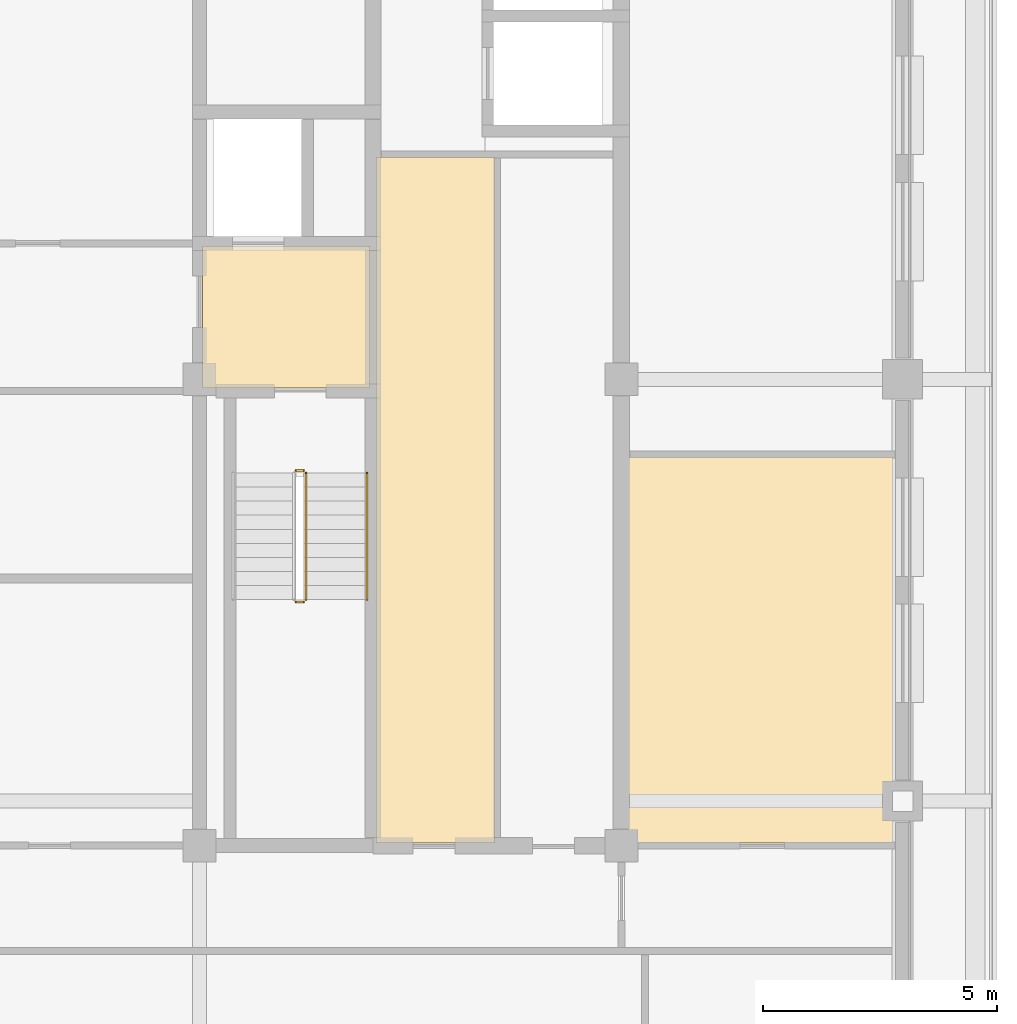
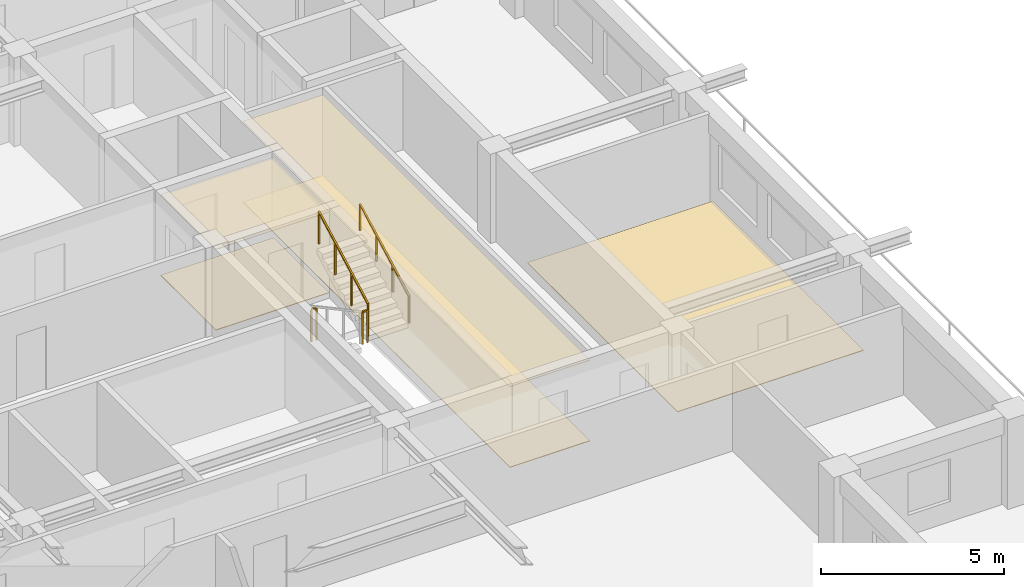
# One storey, part 10 of 11: 5 coverings, 4 railings.
"""IFC4 building model written with IfcOpenShell, lengths in metres."""

from ifc_helpers import new_model, si_unit, direction, frame, origin, origin_2d, place, context, subcontext, project, spatial, polyline, rectangle, outline, extrude, material, layer, layer_set, type_object, element, save


model = new_model("IFC4")

# Units and contexts
model_context = context("Model", 3, precision=1e-05, world=origin(), true_north=direction((0.0, 1.0)))
body_context = subcontext(model_context, "Body", "Model", "MODEL_VIEW")
ifc_project = project(units=[si_unit("LENGTHUNIT", "METRE"), si_unit("AREAUNIT", "SQUARE_METRE"), si_unit("VOLUMEUNIT", "CUBIC_METRE"), si_unit("PLANEANGLEUNIT", "RADIAN"), si_unit("MASSUNIT", "GRAM", prefix="KILO")], contexts=[model_context])

# Site, building, storey
site_placement = place(None, origin())
site = spatial("IfcSite", under=ifc_project, at=site_placement, CompositionType="ELEMENT")
building_placement = place(site_placement, origin())
building = spatial("IfcBuilding", under=site, at=building_placement, Name="Zulmaris Gate Convention Tower", CompositionType="ELEMENT")
storey_placement = place(building_placement, frame((0.0, 0.0, 239.739990234375)))
storey = spatial("IfcBuildingStorey", under=building, at=storey_placement, Name="L63", CompositionType="ELEMENT", Elevation=239.739990234375)

# Coverings
ifc_material_1 = material(Name="Mineral Fibre Acoustic Ceiling Tile")
ifc_layer_1 = layer(ifc_material_1, 0.02001953125, Name="Mineral Fibre Acoustic Ceiling Tile")
ifc_layer_set_1 = layer_set([ifc_layer_1], Name="Mineral Fibre Acoustic Ceiling Tile")
covering_type_1 = type_object("IfcCoveringType", Name="CLG-ACOUSTIC-600", PredefinedType="CEILING", material=ifc_layer_set_1)
covering_1_placement = place(storey_placement, frame((0.0, 0.0, 2.699951171875)))
element("IfcCovering", 1, at=covering_1_placement, inside=storey, type_object=covering_type_1, Name="CLG-L63-R08", PredefinedType="CEILING", context=body_context, shape_type="SweptSolid", body=[
    extrude(outline(polyline([(11.06005859375, -0.18994140625), (14.639892578125, -0.18994140625), (14.639892578125, 2.840087890625), (11.06005859375, 2.840087890625), (11.06005859375, -0.18994140625)])), origin(), (0.0, 0.0, 1.0), 0.02001953125),
])
covering_2_placement = place(storey_placement, frame((0.0, 0.0, 2.699951171875)))
element("IfcCovering", 2, at=covering_2_placement, inside=storey, type_object=covering_type_1, Name="CLG-L63-R24", PredefinedType="CEILING", context=body_context, shape_type="SweptSolid", body=[
    extrude(outline(polyline([(14.760009765625, -9.889892578125), (17.2900390625, -9.889892578125), (17.2900390625, 4.739990234375), (14.760009765625, 4.739990234375), (14.760009765625, -9.889892578125)])), origin(), (0.0, 0.0, 1.0), 0.02001953125),
])
ifc_material_2 = material(Name="Woven Acoustic Wool Carpet Tile")
ifc_layer_2 = layer(ifc_material_2, 0.02001953125, Name="Woven Acoustic Wool Carpet Tile")
ifc_layer_set_2 = layer_set([ifc_layer_2], Name="Woven Acoustic Wool Carpet Tile")
covering_type_2 = type_object("IfcCoveringType", Name="FLR-CARPET-12", PredefinedType="FLOORING", material=ifc_layer_set_2)
covering_3_placement = place(storey_placement, origin())
element("IfcCovering", 3, at=covering_3_placement, inside=storey, type_object=covering_type_2, Name="FLR-L63-R08", PredefinedType="FLOORING", context=body_context, shape_type="SweptSolid", body=[
    extrude(outline(polyline([(11.06005859375, -0.18994140625), (14.639892578125, -0.18994140625), (14.639892578125, 2.840087890625), (11.06005859375, 2.840087890625), (11.06005859375, -0.18994140625)])), origin(), (0.0, 0.0, 1.0), 0.02001953125),
])
covering_4_placement = place(storey_placement, origin())
element("IfcCovering", 4, at=covering_4_placement, inside=storey, type_object=covering_type_2, Name="FLR-L63-R24", PredefinedType="FLOORING", context=body_context, shape_type="SweptSolid", body=[
    extrude(outline(polyline([(14.760009765625, -9.889892578125), (17.2900390625, -9.889892578125), (17.2900390625, 4.739990234375), (14.760009765625, 4.739990234375), (14.760009765625, -9.889892578125)])), origin(), (0.0, 0.0, 1.0), 0.02001953125),
])
covering_5_placement = place(storey_placement, origin())
element("IfcCovering", 5, at=covering_5_placement, inside=storey, type_object=covering_type_2, Name="FLR-L63-R53", PredefinedType="FLOORING", context=body_context, shape_type="SweptSolid", body=[
    extrude(outline(polyline([(20.06005859375, -9.889892578125), (25.93994140625, -9.889892578125), (25.93994140625, -1.659912109375), (20.06005859375, -1.659912109375), (20.06005859375, -9.889892578125)])), origin(), (0.0, 0.0, 1.0), 0.02001953125),
])

# Railings
ifc_material_3 = material(Name="Painted Galvanised Steel", Category="steel")
railing_type_1 = type_object("IfcRailingType", Name="RL-STG-1150", PredefinedType="GUARDRAIL", material=ifc_material_3)
railing_1_placement = place(storey_placement, frame((13.06005859375, -4.75, 1.614990234375)))
element("IfcRailing", 6, at=railing_1_placement, inside=storey, type_object=railing_type_1, Name="L63 ST-2 stair guard 2", PredefinedType="GUARDRAIL", context=body_context, shape_type="SweptSolid", body=[
    extrude(rectangle(XDim=0.048095703125, YDim=0.048095703125, at=origin_2d()), frame((0.0, 0.0, 1.076171875), z_axis=(1.0, 0.0, 0.0), x_axis=(0.0, 1.0, 0.0)), (0.0, 0.0, 1.0), 0.159912109375),
    extrude(rectangle(XDim=0.0419921875, YDim=0.0419921875, at=origin_2d()), origin(), (0.0, 0.0, 1.0), 1.052001953125),
    extrude(rectangle(XDim=0.0419921875, YDim=0.0419921875, at=origin_2d()), frame((0.159912109375, 0.0, 0.0)), (0.0, 0.0, 1.0), 1.052001953125),
])
railing_2_placement = place(storey_placement, frame((13.27001953125, -4.699951171875, 1.776611328125)))
element("IfcRailing", 7, at=railing_2_placement, inside=storey, type_object=railing_type_1, Name="L63 ST-2 stair guard 3", PredefinedType="GUARDRAIL", context=body_context, shape_type="SweptSolid", body=[
    extrude(rectangle(XDim=0.048095703125, YDim=0.048095703125, at=origin_2d()), frame((0.0, 0.0, 1.076171875), z_axis=(0.0, 0.880532452117, 0.47398586558), x_axis=(-1.0, 0.0, 0.0)), (0.0, 0.0, 1.0), 3.066162109375),
    extrude(rectangle(XDim=0.0419921875, YDim=0.0419921875, at=origin_2d()), origin(), (0.0, 0.0, 1.0), 1.052001953125),
    extrude(rectangle(XDim=0.0419921875, YDim=0.0419921875, at=origin_2d()), frame((0.0, 0.89990234375, 0.484375)), (0.0, 0.0, 1.0), 1.052001953125),
    extrude(rectangle(XDim=0.0419921875, YDim=0.0419921875, at=origin_2d()), frame((0.0, 1.800048828125, 0.968994140625)), (0.0, 0.0, 1.0), 1.052001953125),
    extrude(rectangle(XDim=0.0419921875, YDim=0.0419921875, at=origin_2d()), frame((0.0, 2.699951171875, 1.453369140625)), (0.0, 0.0, 1.0), 1.052001953125),
])
railing_3_placement = place(storey_placement, frame((13.06005859375, -1.949951171875, 0.0)))
element("IfcRailing", 8, at=railing_3_placement, inside=storey, type_object=railing_type_1, Name="L63 ST-2 stair guard 4", PredefinedType="GUARDRAIL", context=body_context, shape_type="SweptSolid", body=[
    extrude(rectangle(XDim=0.048095703125, YDim=0.048095703125, at=origin_2d()), frame((0.0, 0.0, 1.076171875), z_axis=(1.0, 0.0, 0.0), x_axis=(0.0, 1.0, 0.0)), (0.0, 0.0, 1.0), 0.159912109375),
    extrude(rectangle(XDim=0.0419921875, YDim=0.0419921875, at=origin_2d()), origin(), (0.0, 0.0, 1.0), 1.052001953125),
    extrude(rectangle(XDim=0.0419921875, YDim=0.0419921875, at=origin_2d()), frame((0.159912109375, 0.0, 0.0)), (0.0, 0.0, 1.0), 1.052001953125),
])
ifc_material_4 = material(Name="Brushed Stainless Steel", Category="steel")
railing_type_2 = type_object("IfcRailingType", Name="RL-STH-900", PredefinedType="HANDRAIL", material=ifc_material_4)
railing_4_placement = place(storey_placement, frame((14.570068359375, -4.699951171875, 1.776611328125)))
element("IfcRailing", 9, at=railing_4_placement, inside=storey, type_object=railing_type_2, Name="L63 ST-2 stair handrail 2", PredefinedType="HANDRAIL", context=body_context, shape_type="SweptSolid", body=[
    extrude(rectangle(XDim=0.048095703125, YDim=0.048095703125, at=origin_2d()), frame((0.0, 0.0, 0.8759765625), z_axis=(0.0, 0.880532452117, 0.47398586558), x_axis=(-1.0, 0.0, 0.0)), (0.0, 0.0, 1.0), 3.066162109375),
    extrude(rectangle(XDim=0.0419921875, YDim=0.0419921875, at=origin_2d()), origin(), (0.0, 0.0, 1.0), 0.851806640625),
    extrude(rectangle(XDim=0.0419921875, YDim=0.0419921875, at=origin_2d()), frame((0.0, 0.89990234375, 0.484375)), (0.0, 0.0, 1.0), 0.851806640625),
    extrude(rectangle(XDim=0.0419921875, YDim=0.0419921875, at=origin_2d()), frame((0.0, 1.800048828125, 0.968994140625)), (0.0, 0.0, 1.0), 0.851806640625),
    extrude(rectangle(XDim=0.0419921875, YDim=0.0419921875, at=origin_2d()), frame((0.0, 2.699951171875, 1.453369140625)), (0.0, 0.0, 1.0), 0.851806640625),
])

save(model, "model.ifc")
